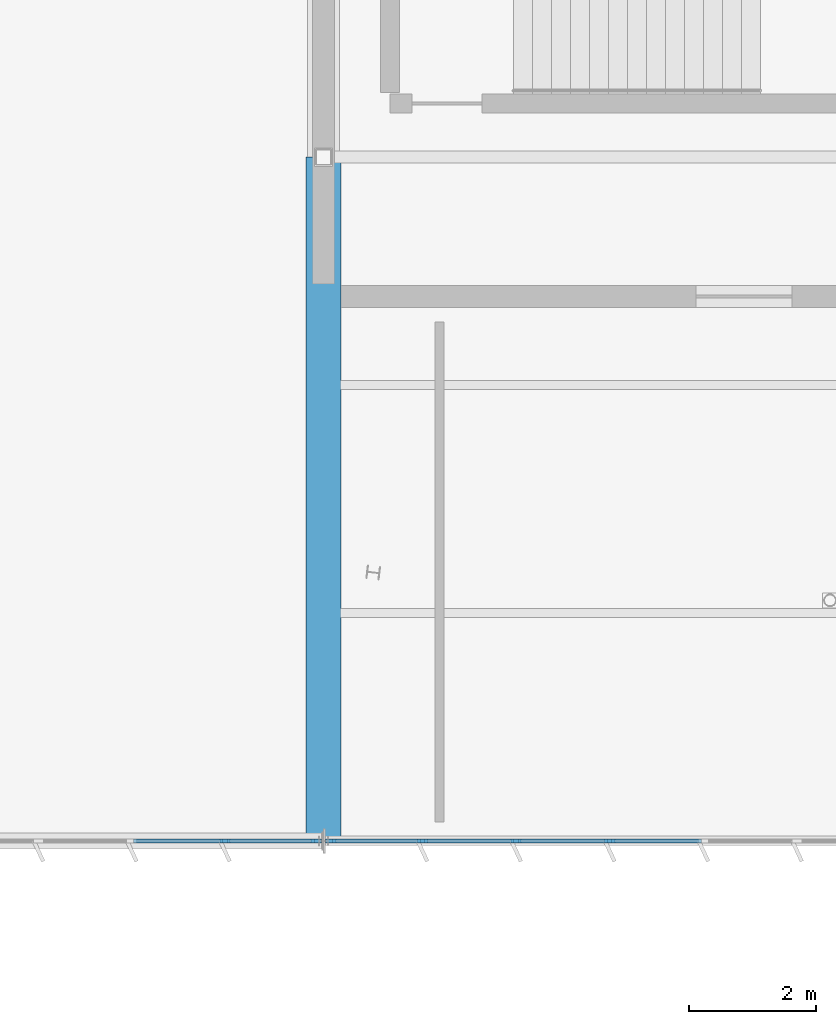
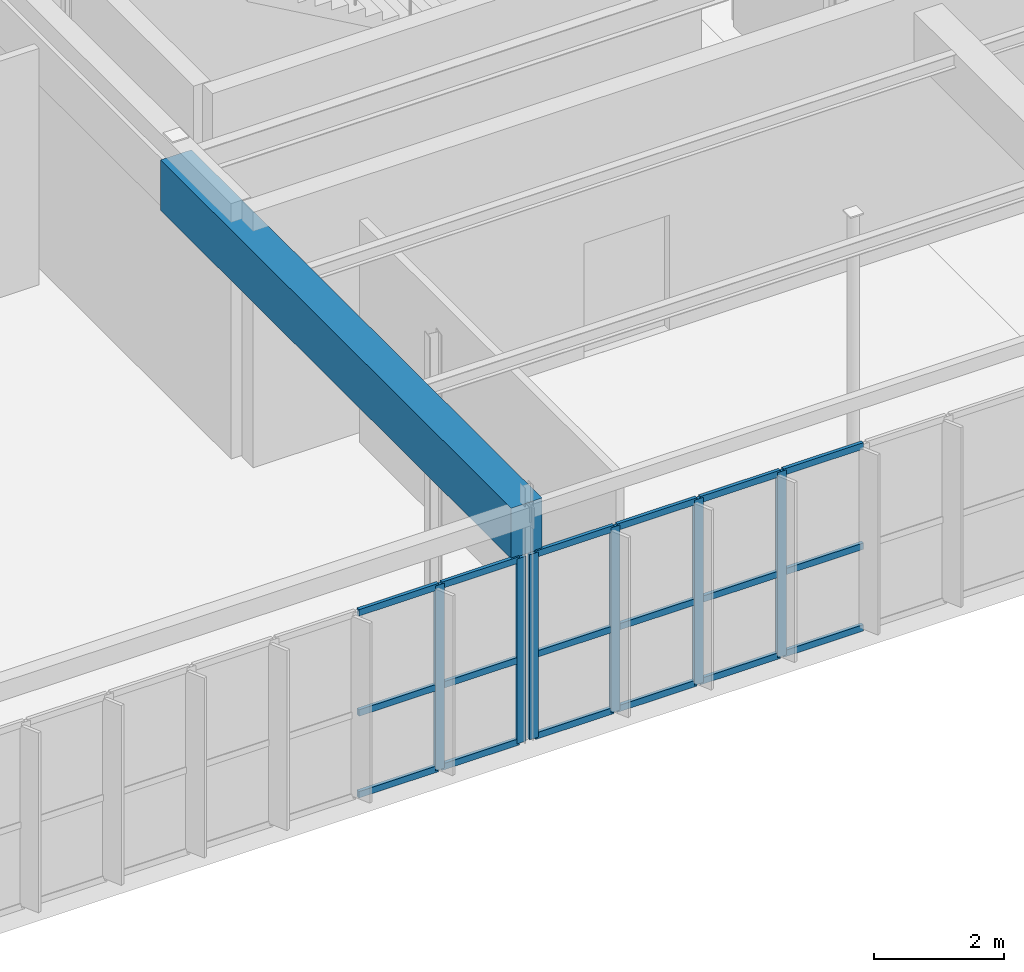
# One storey, part 72 of 199: 24 members, 1 beam, 2 elements without a shape of their own.
"""IFC4 building model written with IfcOpenShell, lengths in metres."""

from ifc_helpers import new_model, si_unit, direction, frame, origin, origin_2d, place, context, subcontext, project, spatial, rectangle, extrude, material, layer, layer_set, material_profile, profile_set, type_object, element, aggregate, save


model = new_model("IFC4")

# Units and contexts
model_context = context("Model", 3, precision=1e-05, world=origin(), true_north=direction((0.0, 1.0)))
body_context = subcontext(model_context, "Body", "Model", "MODEL_VIEW")
ifc_project = project(units=[si_unit("LENGTHUNIT", "METRE"), si_unit("AREAUNIT", "SQUARE_METRE"), si_unit("VOLUMEUNIT", "CUBIC_METRE"), si_unit("PLANEANGLEUNIT", "RADIAN"), si_unit("MASSUNIT", "GRAM", prefix="KILO")], contexts=[model_context])

# Site, building, storey
site_placement = place(None, origin())
site = spatial("IfcSite", under=ifc_project, at=site_placement, CompositionType="ELEMENT")
building_placement = place(site_placement, origin())
building = spatial("IfcBuilding", under=site, at=building_placement, Name="Tarnwether General Hospital", CompositionType="ELEMENT")
storey_placement = place(building_placement, origin())
storey = spatial("IfcBuildingStorey", under=building, at=storey_placement, Name="L00", CompositionType="ELEMENT", Elevation=0.0)

# Beam
ifc_material_1 = material(Name="Concrete 40 MPa", Category="concrete")
ifc_material_profile_1 = material_profile(ifc_material_1, rectangle(XDim=0.550048828125, YDim=0.949951171875, at=origin_2d()), Name="RC-BM-550x950")
ifc_profile_set_1 = profile_set([ifc_material_profile_1], Name="Concrete 40 MPa")
beam_type = type_object("IfcBeamType", Name="BM-G11", PredefinedType="BEAM", material=ifc_profile_set_1)
beam_placement = place(storey_placement, frame((84.0, 0.0, 3.969970703125), z_axis=(0.0, 1.0, 0.0), x_axis=(-1.0, 0.0, 0.0)))
element("IfcBeam", 1, at=beam_placement, inside=storey, type_object=beam_type, Name="Primary Girder BMG-L00-8400_0-8400_1080-0718", PredefinedType="BEAM", context=body_context, shape_type="SweptSolid", body=[
    extrude(rectangle(XDim=0.550048828125, YDim=0.949951171875, at=origin_2d()), origin(), (0.0, 0.0, 1.0), 10.800048828125),
])

# Curtain wall, members
ifc_material_2 = material(Name="Anodised aluminium", Category="aluminium")
ifc_layer = layer(ifc_material_2, 0.159912109375)
ifc_layer_set = layer_set([ifc_layer], Name="Anodised aluminium")
curtain_wall_type = type_object("IfcCurtainWallType", Name="CW-13", PredefinedType="NOTDEFINED", material=ifc_layer_set)
curtain_wall_1_placement = place(storey_placement, origin())
curtain_wall_1 = element("IfcCurtainWall", 2, at=curtain_wall_1_placement, inside=storey, type_object=curtain_wall_type, Name="Curtain Wall CWG-L00-959_0-0280", PredefinedType="NOTDEFINED")
ifc_material_3 = material(Name="Anodised aluminium", Category="aluminium")
ifc_material_profile_2 = material_profile(ifc_material_3, rectangle(XDim=0.06005859375, YDim=0.159912109375, at=origin_2d()), Name="ALU-MUL-60x160")
ifc_profile_set_2 = profile_set([ifc_material_profile_2], Name="Anodised aluminium")
member_type_1 = type_object("IfcMemberType", Name="CW-ML1", PredefinedType="MULLION", material=ifc_profile_set_2)
member_1_placement = place(storey_placement, frame((88.52099609375, 0.0, 0.0), z_axis=(0.0, 0.0, 1.0), x_axis=(0.0, -1.0, 0.0)))
member_1 = element("IfcMember", 3, at=member_1_placement, type_object=member_type_1, Name="CW-13 mullion 6", PredefinedType="MULLION", context=body_context, shape_type="SweptSolid", body=[
    extrude(rectangle(XDim=0.06005859375, YDim=0.159912109375, at=origin_2d()), origin(), (0.0, 0.0, 1.0), 3.47998046875),
])
member_2_placement = place(storey_placement, frame((87.0419921875, 0.0, 0.0), z_axis=(0.0, 0.0, 1.0), x_axis=(0.0, -1.0, 0.0)))
member_2 = element("IfcMember", 4, at=member_2_placement, type_object=member_type_1, Name="CW-13 mullion 7", PredefinedType="MULLION", context=body_context, shape_type="SweptSolid", body=[
    extrude(rectangle(XDim=0.06005859375, YDim=0.159912109375, at=origin_2d()), origin(), (0.0, 0.0, 1.0), 3.47998046875),
])
member_3_placement = place(storey_placement, frame((85.56298828125, 0.0, 0.0), z_axis=(0.0, 0.0, 1.0), x_axis=(0.0, -1.0, 0.0)))
member_3 = element("IfcMember", 5, at=member_3_placement, type_object=member_type_1, Name="CW-13 mullion 8", PredefinedType="MULLION", context=body_context, shape_type="SweptSolid", body=[
    extrude(rectangle(XDim=0.06005859375, YDim=0.159912109375, at=origin_2d()), origin(), (0.0, 0.0, 1.0), 3.47998046875),
])
member_4_placement = place(storey_placement, frame((84.114013671875, 0.0, 0.0), z_axis=(0.0, 0.0, 1.0), x_axis=(0.0, -1.0, 0.0)))
member_4 = element("IfcMember", 6, at=member_4_placement, type_object=member_type_1, Name="CW-13 mullion 9", PredefinedType="MULLION", context=body_context, shape_type="SweptSolid", body=[
    extrude(rectangle(XDim=0.06005859375, YDim=0.159912109375, at=origin_2d()), origin(), (0.0, 0.0, 1.0), 3.47998046875),
])

curtain_wall_2_placement = place(storey_placement, origin())
curtain_wall_2 = element("IfcCurtainWall", 7, at=curtain_wall_2_placement, inside=storey, type_object=curtain_wall_type, Name="Curtain Wall CWG-L00-839_0-0281", PredefinedType="NOTDEFINED")
member_5_placement = place(storey_placement, frame((83.885986328125, 0.0, 0.0), z_axis=(0.0, 0.0, 1.0), x_axis=(0.0, -1.0, 0.0)))
member_5 = element("IfcMember", 8, at=member_5_placement, type_object=member_type_1, Name="CW-13 mullion 1", PredefinedType="MULLION", context=body_context, shape_type="SweptSolid", body=[
    extrude(rectangle(XDim=0.06005859375, YDim=0.159912109375, at=origin_2d()), origin(), (0.0, 0.0, 1.0), 3.47998046875),
])
member_6_placement = place(storey_placement, frame((82.443359375, 0.0, 0.0), z_axis=(0.0, 0.0, 1.0), x_axis=(0.0, -1.0, 0.0)))
member_6 = element("IfcMember", 9, at=member_6_placement, type_object=member_type_1, Name="CW-13 mullion 2", PredefinedType="MULLION", context=body_context, shape_type="SweptSolid", body=[
    extrude(rectangle(XDim=0.06005859375, YDim=0.159912109375, at=origin_2d()), origin(), (0.0, 0.0, 1.0), 3.47998046875),
])

# Member
ifc_material_4 = material(Name="Anodised aluminium", Category="aluminium")
ifc_material_profile_3 = material_profile(ifc_material_4, rectangle(XDim=0.06005859375, YDim=0.1201171875, at=origin_2d()), Name="ALU-TRN-60x120")
ifc_profile_set_3 = profile_set([ifc_material_profile_3], Name="Anodised aluminium")
member_type_2 = type_object("IfcMemberType", Name="CW-TR1", PredefinedType="USERDEFINED", material=ifc_profile_set_3)
member_7_placement = place(storey_placement, frame((89.969970703125, 0.0, 0.030029296875), z_axis=(-1.0, 0.0, 0.0), x_axis=(0.0, -1.0, 0.0)))
member_7 = element("IfcMember", 10, at=member_7_placement, type_object=member_type_2, Name="CW-13 transom 5.1", ObjectType="TRANSOM", PredefinedType="USERDEFINED", context=body_context, shape_type="SweptSolid", body=[
    extrude(rectangle(XDim=0.06005859375, YDim=0.1201171875, at=origin_2d()), origin(), (0.0, 0.0, 1.0), 1.4189453125),
])

member_8_placement = place(storey_placement, frame((89.969970703125, 0.0, 1.56591796875), z_axis=(-1.0, 0.0, 0.0), x_axis=(0.0, -1.0, 0.0)))
member_8 = element("IfcMember", 11, at=member_8_placement, type_object=member_type_2, Name="CW-13 transom 5.2", ObjectType="TRANSOM", PredefinedType="USERDEFINED", context=body_context, shape_type="SweptSolid", body=[
    extrude(rectangle(XDim=0.06005859375, YDim=0.1201171875, at=origin_2d()), origin(), (0.0, 0.0, 1.0), 1.4189453125),
])

member_9_placement = place(storey_placement, frame((89.969970703125, 0.0, 3.449951171875), z_axis=(-1.0, 0.0, 0.0), x_axis=(0.0, -1.0, 0.0)))
member_9 = element("IfcMember", 12, at=member_9_placement, type_object=member_type_2, Name="CW-13 transom 5.3", ObjectType="TRANSOM", PredefinedType="USERDEFINED", context=body_context, shape_type="SweptSolid", body=[
    extrude(rectangle(XDim=0.06005859375, YDim=0.1201171875, at=origin_2d()), origin(), (0.0, 0.0, 1.0), 1.4189453125),
])

member_10_placement = place(storey_placement, frame((88.490966796875, 0.0, 0.030029296875), z_axis=(-1.0, 0.0, 0.0), x_axis=(0.0, -1.0, 0.0)))
member_10 = element("IfcMember", 13, at=member_10_placement, type_object=member_type_2, Name="CW-13 transom 6.1", ObjectType="TRANSOM", PredefinedType="USERDEFINED", context=body_context, shape_type="SweptSolid", body=[
    extrude(rectangle(XDim=0.06005859375, YDim=0.1201171875, at=origin_2d()), origin(), (0.0, 0.0, 1.0), 1.4189453125),
])

member_11_placement = place(storey_placement, frame((88.490966796875, 0.0, 1.56591796875), z_axis=(-1.0, 0.0, 0.0), x_axis=(0.0, -1.0, 0.0)))
member_11 = element("IfcMember", 14, at=member_11_placement, type_object=member_type_2, Name="CW-13 transom 6.2", ObjectType="TRANSOM", PredefinedType="USERDEFINED", context=body_context, shape_type="SweptSolid", body=[
    extrude(rectangle(XDim=0.06005859375, YDim=0.1201171875, at=origin_2d()), origin(), (0.0, 0.0, 1.0), 1.4189453125),
])

member_12_placement = place(storey_placement, frame((88.490966796875, 0.0, 3.449951171875), z_axis=(-1.0, 0.0, 0.0), x_axis=(0.0, -1.0, 0.0)))
member_12 = element("IfcMember", 15, at=member_12_placement, type_object=member_type_2, Name="CW-13 transom 6.3", ObjectType="TRANSOM", PredefinedType="USERDEFINED", context=body_context, shape_type="SweptSolid", body=[
    extrude(rectangle(XDim=0.06005859375, YDim=0.1201171875, at=origin_2d()), origin(), (0.0, 0.0, 1.0), 1.4189453125),
])

member_13_placement = place(storey_placement, frame((87.011962890625, 0.0, 0.030029296875), z_axis=(-1.0, 0.0, 0.0), x_axis=(0.0, -1.0, 0.0)))
member_13 = element("IfcMember", 16, at=member_13_placement, type_object=member_type_2, Name="CW-13 transom 7.1", ObjectType="TRANSOM", PredefinedType="USERDEFINED", context=body_context, shape_type="SweptSolid", body=[
    extrude(rectangle(XDim=0.06005859375, YDim=0.1201171875, at=origin_2d()), origin(), (0.0, 0.0, 1.0), 1.4189453125),
])

member_14_placement = place(storey_placement, frame((87.011962890625, 0.0, 1.56591796875), z_axis=(-1.0, 0.0, 0.0), x_axis=(0.0, -1.0, 0.0)))
member_14 = element("IfcMember", 17, at=member_14_placement, type_object=member_type_2, Name="CW-13 transom 7.2", ObjectType="TRANSOM", PredefinedType="USERDEFINED", context=body_context, shape_type="SweptSolid", body=[
    extrude(rectangle(XDim=0.06005859375, YDim=0.1201171875, at=origin_2d()), origin(), (0.0, 0.0, 1.0), 1.4189453125),
])

member_15_placement = place(storey_placement, frame((87.011962890625, 0.0, 3.449951171875), z_axis=(-1.0, 0.0, 0.0), x_axis=(0.0, -1.0, 0.0)))
member_15 = element("IfcMember", 18, at=member_15_placement, type_object=member_type_2, Name="CW-13 transom 7.3", ObjectType="TRANSOM", PredefinedType="USERDEFINED", context=body_context, shape_type="SweptSolid", body=[
    extrude(rectangle(XDim=0.06005859375, YDim=0.1201171875, at=origin_2d()), origin(), (0.0, 0.0, 1.0), 1.4189453125),
])

member_16_placement = place(storey_placement, frame((85.532958984375, 0.0, 0.030029296875), z_axis=(-1.0, 0.0, 0.0), x_axis=(0.0, -1.0, 0.0)))
member_16 = element("IfcMember", 19, at=member_16_placement, type_object=member_type_2, Name="CW-13 transom 8.1", ObjectType="TRANSOM", PredefinedType="USERDEFINED", context=body_context, shape_type="SweptSolid", body=[
    extrude(rectangle(XDim=0.06005859375, YDim=0.1201171875, at=origin_2d()), origin(), (0.0, 0.0, 1.0), 1.388916015625),
])

member_17_placement = place(storey_placement, frame((85.532958984375, 0.0, 1.56591796875), z_axis=(-1.0, 0.0, 0.0), x_axis=(0.0, -1.0, 0.0)))
member_17 = element("IfcMember", 20, at=member_17_placement, type_object=member_type_2, Name="CW-13 transom 8.2", ObjectType="TRANSOM", PredefinedType="USERDEFINED", context=body_context, shape_type="SweptSolid", body=[
    extrude(rectangle(XDim=0.06005859375, YDim=0.1201171875, at=origin_2d()), origin(), (0.0, 0.0, 1.0), 1.388916015625),
])

member_18_placement = place(storey_placement, frame((85.532958984375, 0.0, 3.449951171875), z_axis=(-1.0, 0.0, 0.0), x_axis=(0.0, -1.0, 0.0)))
member_18 = element("IfcMember", 21, at=member_18_placement, type_object=member_type_2, Name="CW-13 transom 8.3", ObjectType="TRANSOM", PredefinedType="USERDEFINED", context=body_context, shape_type="SweptSolid", body=[
    extrude(rectangle(XDim=0.06005859375, YDim=0.1201171875, at=origin_2d()), origin(), (0.0, 0.0, 1.0), 1.388916015625),
])

aggregate(curtain_wall_1, [member_1, member_2, member_3, member_4, member_7, member_8, member_9, member_10, member_11, member_12, member_13, member_14, member_15, member_16, member_17, member_18])

member_19_placement = place(storey_placement, frame((83.85595703125, 0.0, 0.030029296875), z_axis=(-1.0, 0.0, 0.0), x_axis=(0.0, -1.0, 0.0)))
member_19 = element("IfcMember", 22, at=member_19_placement, type_object=member_type_2, Name="CW-13 transom 1.1", ObjectType="TRANSOM", PredefinedType="USERDEFINED", context=body_context, shape_type="SweptSolid", body=[
    extrude(rectangle(XDim=0.06005859375, YDim=0.1201171875, at=origin_2d()), origin(), (0.0, 0.0, 1.0), 1.382568359375),
])

member_20_placement = place(storey_placement, frame((83.85595703125, 0.0, 1.56591796875), z_axis=(-1.0, 0.0, 0.0), x_axis=(0.0, -1.0, 0.0)))
member_20 = element("IfcMember", 23, at=member_20_placement, type_object=member_type_2, Name="CW-13 transom 1.2", ObjectType="TRANSOM", PredefinedType="USERDEFINED", context=body_context, shape_type="SweptSolid", body=[
    extrude(rectangle(XDim=0.06005859375, YDim=0.1201171875, at=origin_2d()), origin(), (0.0, 0.0, 1.0), 1.382568359375),
])

member_21_placement = place(storey_placement, frame((83.85595703125, 0.0, 3.449951171875), z_axis=(-1.0, 0.0, 0.0), x_axis=(0.0, -1.0, 0.0)))
member_21 = element("IfcMember", 24, at=member_21_placement, type_object=member_type_2, Name="CW-13 transom 1.3", ObjectType="TRANSOM", PredefinedType="USERDEFINED", context=body_context, shape_type="SweptSolid", body=[
    extrude(rectangle(XDim=0.06005859375, YDim=0.1201171875, at=origin_2d()), origin(), (0.0, 0.0, 1.0), 1.382568359375),
])

member_22_placement = place(storey_placement, frame((82.413330078125, 0.0, 0.030029296875), z_axis=(-1.0, 0.0, 0.0), x_axis=(0.0, -1.0, 0.0)))
member_22 = element("IfcMember", 25, at=member_22_placement, type_object=member_type_2, Name="CW-13 transom 2.1", ObjectType="TRANSOM", PredefinedType="USERDEFINED", context=body_context, shape_type="SweptSolid", body=[
    extrude(rectangle(XDim=0.06005859375, YDim=0.1201171875, at=origin_2d()), origin(), (0.0, 0.0, 1.0), 1.41259765625),
])

member_23_placement = place(storey_placement, frame((82.413330078125, 0.0, 1.56591796875), z_axis=(-1.0, 0.0, 0.0), x_axis=(0.0, -1.0, 0.0)))
member_23 = element("IfcMember", 26, at=member_23_placement, type_object=member_type_2, Name="CW-13 transom 2.2", ObjectType="TRANSOM", PredefinedType="USERDEFINED", context=body_context, shape_type="SweptSolid", body=[
    extrude(rectangle(XDim=0.06005859375, YDim=0.1201171875, at=origin_2d()), origin(), (0.0, 0.0, 1.0), 1.41259765625),
])

member_24_placement = place(storey_placement, frame((82.413330078125, 0.0, 3.449951171875), z_axis=(-1.0, 0.0, 0.0), x_axis=(0.0, -1.0, 0.0)))
member_24 = element("IfcMember", 27, at=member_24_placement, type_object=member_type_2, Name="CW-13 transom 2.3", ObjectType="TRANSOM", PredefinedType="USERDEFINED", context=body_context, shape_type="SweptSolid", body=[
    extrude(rectangle(XDim=0.06005859375, YDim=0.1201171875, at=origin_2d()), origin(), (0.0, 0.0, 1.0), 1.41259765625),
])

aggregate(curtain_wall_2, [member_5, member_6, member_19, member_20, member_21, member_22, member_23, member_24])

save(model, "model.ifc")
